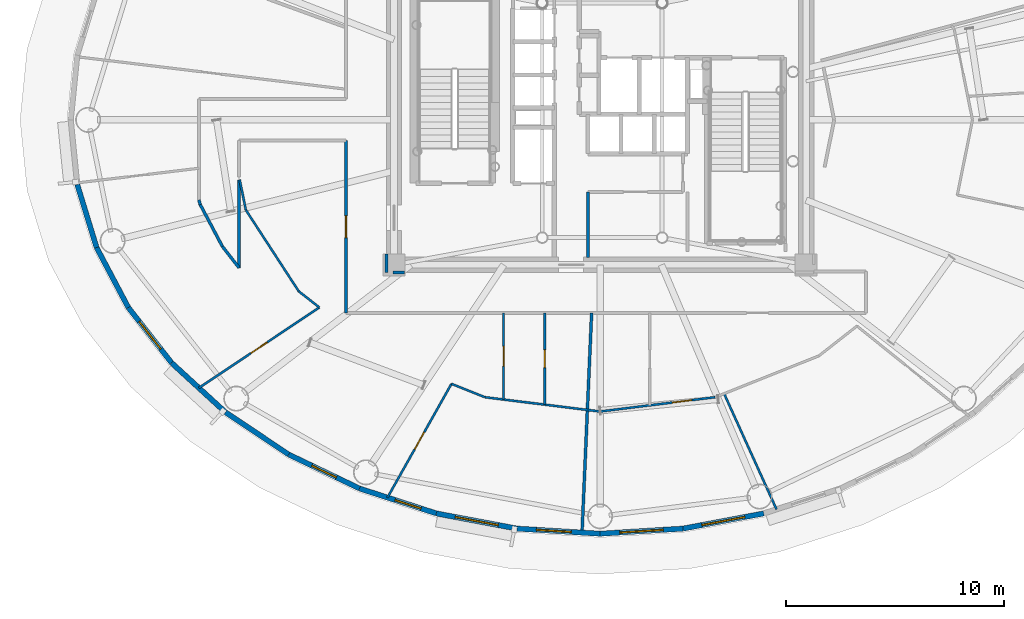
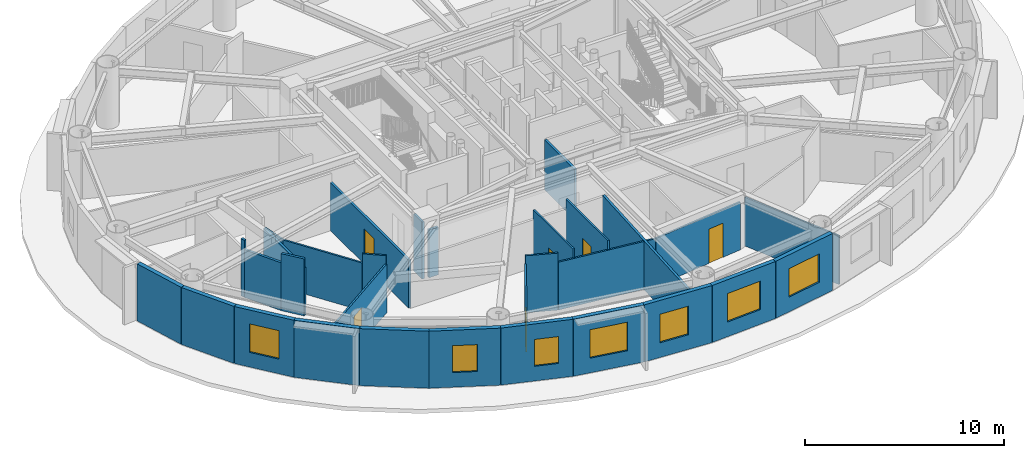
# One storey, part 9 of 19: 31 walls, 7 windows, 6 doors, 13 openings.
"""IFC4 building model written with IfcOpenShell, lengths in metres."""

import ifcopenshell
import ifcopenshell.guid

model = None  # the IFC model being written
_history = None  # IfcOwnerHistory: only IFC2X3 demands one
_inside = {}  # id of a spatial element -> (the spatial element, [elements in it])
_under = {}  # id of a project, library or spatial element -> (it, [spatial elements below it])
_declared = {}  # id of a project -> (the project, [libraries it declares])
_typed = {}  # id of a type object -> (the type object, [elements of that type])
_made_of = {}  # id of a material, layer set ... -> (it, [elements and type objects made of it])


def new_model(schema):
    """Start an empty IFC model of exactly this schema.

    Asked for "IFC4X3", IfcOpenShell would pick the latest addendum, in which some entities
    have other attributes; the version numbers below select the first issue.
    IFC2X3 requires an IfcOwnerHistory on every rooted entity: one is made here for all.
    """
    global model, _history
    if schema == "IFC4X3":
        model = ifcopenshell.file(schema_version=(4, 3, 0, 0))
    else:
        model = ifcopenshell.file(schema=schema)
    _inside.clear()
    _under.clear()
    _declared.clear()
    _typed.clear()
    _made_of.clear()
    _history = None
    if model.schema == "IFC2X3":
        org = make("IfcOrganization", Name="unknown")
        user = make(
            "IfcPersonAndOrganization",
            ThePerson=make("IfcPerson", FamilyName="unknown"),
            TheOrganization=org,
        )
        app = make(
            "IfcApplication",
            ApplicationDeveloper=org,
            Version="unknown",
            ApplicationFullName="unknown",
            ApplicationIdentifier="unknown",
        )
        _history = make(
            "IfcOwnerHistory",
            OwningUser=user,
            OwningApplication=app,
            ChangeAction="ADDED",
            CreationDate=0,
        )
    return model


def make(cls, **values):
    """One entity of the class cls with the attributes given. An attribute that is None is left unset."""
    return model.create_entity(
        cls, **{name: value for name, value in values.items() if value is not None}
    )


def rooted(cls, **values):
    """An entity with a GlobalId (a new one), such as an element, a storey or a relation."""
    return make(cls, GlobalId=ifcopenshell.guid.new(), OwnerHistory=_history, **values)


def si_unit(unit_type, name, prefix=None):
    """IfcSIUnit, for example si_unit("LENGTHUNIT", "METRE", prefix="MILLI")."""
    return make("IfcSIUnit", UnitType=unit_type, Prefix=prefix, Name=name)


def assignment(units):
    """IfcUnitAssignment: the units of a project."""
    return None if units is None else make("IfcUnitAssignment", Units=units)


def point(xyz):
    """IfcCartesianPoint."""
    return None if xyz is None else make("IfcCartesianPoint", Coordinates=xyz)


def direction(xyz):
    """IfcDirection."""
    return None if xyz is None else make("IfcDirection", DirectionRatios=xyz)


def frame(location, z_axis=None, x_axis=None):
    """IfcAxis2Placement3D, a coordinate frame: its origin and axes. An axis left out is left unset."""
    return make(
        "IfcAxis2Placement3D",
        Location=point(location),
        Axis=direction(z_axis),
        RefDirection=direction(x_axis),
    )


def frame_2d(location, x_axis=None):
    """IfcAxis2Placement2D, a coordinate frame in the plane: its origin and x axis."""
    return make(
        "IfcAxis2Placement2D", Location=point(location), RefDirection=direction(x_axis)
    )


def origin():
    """The frame at (0, 0, 0) with its axes left unset."""
    return frame((0.0, 0.0, 0.0))


def origin_2d():
    """The frame at (0, 0) in the plane with its x axis left unset."""
    return frame_2d((0.0, 0.0))


def place(relative_to, where):
    """IfcLocalPlacement: puts the frame where relative to a parent placement (None: the world)."""
    return make(
        "IfcLocalPlacement", PlacementRelTo=relative_to, RelativePlacement=where
    )


def context(
    kind, dimensions, precision=None, world=None, true_north=None, identifier=None
):
    """IfcGeometricRepresentationContext, for example the 3D "Model" context."""
    return make(
        "IfcGeometricRepresentationContext",
        ContextIdentifier=identifier,
        ContextType=kind,
        CoordinateSpaceDimension=dimensions,
        Precision=precision,
        WorldCoordinateSystem=world,
        TrueNorth=true_north,
    )


def subcontext(parent, identifier, kind, view, scale=None):
    """IfcGeometricRepresentationSubContext, for example "Body" below "Model"."""
    return make(
        "IfcGeometricRepresentationSubContext",
        ContextIdentifier=identifier,
        ContextType=kind,
        ParentContext=parent,
        TargetScale=scale,
        TargetView=view,
    )


def project(units=None, contexts=None):
    """IfcProject with its units and contexts."""
    return rooted(
        "IfcProject",
        Name="project",
        RepresentationContexts=contexts,
        UnitsInContext=assignment(units),
    )


def spatial(cls, under=None, at=None, **own):
    """A site, building, storey or space (cls), placed at a placement, below another one or the project."""
    s = rooted(cls, ObjectPlacement=at, **own)
    if under is not None:
        _under.setdefault(under.id(), (under, []))[1].append(s)
    return s


def profile(cls, at=None, kind="AREA", **sizes):
    """A parametric profile (cls). Its sizes go by their IFC names, for example OverallWidth=200.0."""
    return make(cls, ProfileType=kind, Position=at, **sizes)


def rectangle(**sizes):
    """IfcRectangleProfileDef."""
    return profile("IfcRectangleProfileDef", **sizes)


def extrude(swept, where, along, depth):
    """IfcExtrudedAreaSolid: the profile swept, set in the frame where, extruded along a direction by depth."""
    return make(
        "IfcExtrudedAreaSolid",
        SweptArea=swept,
        Position=where,
        ExtrudedDirection=direction(along),
        Depth=depth,
    )


def shape(context_of_items, identifier, shape_type, items):
    """IfcShapeRepresentation: the items that make up one representation, for example the "Body"."""
    return make(
        "IfcShapeRepresentation",
        ContextOfItems=context_of_items,
        RepresentationIdentifier=identifier,
        RepresentationType=shape_type,
        Items=items,
    )


def source(mapping_origin, context_of_items, identifier, shape_type, items):
    """IfcRepresentationMap: a shape defined once, which mapped items show again and again."""
    return make(
        "IfcRepresentationMap",
        MappingOrigin=mapping_origin,
        MappedRepresentation=shape(context_of_items, identifier, shape_type, items),
    )


def transform(
    local_origin,
    x_axis=None,
    y_axis=None,
    z_axis=None,
    scale=None,
    scale2=None,
    scale3=None,
    uniform=True,
):
    """IfcCartesianTransformationOperator3D, or its non-uniform kind. x_axis, y_axis, z_axis: its Axis1, 2, 3."""
    if uniform:
        return make(
            "IfcCartesianTransformationOperator3D",
            Axis1=direction(x_axis),
            Axis2=direction(y_axis),
            LocalOrigin=point(local_origin),
            Scale=scale,
            Axis3=direction(z_axis),
        )
    return make(
        "IfcCartesianTransformationOperator3DnonUniform",
        Axis1=direction(x_axis),
        Axis2=direction(y_axis),
        LocalOrigin=point(local_origin),
        Scale=scale,
        Axis3=direction(z_axis),
        Scale2=scale2,
        Scale3=scale3,
    )


def mapped(mapping_source, mapping_target):
    """IfcMappedItem: shows the shape of a source again, moved by a transform."""
    return make(
        "IfcMappedItem", MappingSource=mapping_source, MappingTarget=mapping_target
    )


def material(Name=None, Category=None):
    """IfcMaterial."""
    return make("IfcMaterial", Name=Name, Category=Category)


def layer(
    of_material, thickness, ventilated=None, Name=None, Category=None, Priority=None
):
    """IfcMaterialLayer: one layer of a wall or slab, of a material (None: an air gap)."""
    return make(
        "IfcMaterialLayer",
        Material=of_material,
        LayerThickness=thickness,
        IsVentilated=ventilated,
        Name=Name,
        Category=Category,
        Priority=Priority,
    )


def layer_set(layers, Name=None):
    """IfcMaterialLayerSet."""
    return make("IfcMaterialLayerSet", MaterialLayers=layers, LayerSetName=Name)


def made_of(thing, what):
    """Note that an element or type object is made of a material, layer set ...; save() writes the relation."""
    if what is not None:
        _made_of.setdefault(what.id(), (what, []))[1].append(thing)
    return thing


def type_object(cls, material=None, **own):
    """A type object (cls), such as IfcWallType, which elements share."""
    return made_of(rooted(cls, **own), material)


def element(
    cls,
    number,
    at=None,
    inside=None,
    cuts=None,
    type_object=None,
    material=None,
    context=None,
    identifier="Body",
    shape_type=None,
    held_by="IfcProductDefinitionShape",
    body=None,
    shapes=None,
    **own,
):
    """One element of the class cls, such as IfcWall. Its Tag is "e" and its number.

    at: its placement. inside: the storey or other place that contains it. cuts: it is an
    opening in that element (IfcRelVoidsElement). A single representation is given by context,
    identifier, shape_type and body (its items); several are given by shapes. held_by: the class
    of the entity that holds the representations. save() writes the other relations.
    """
    e = rooted(cls, Tag="e%d" % number, ObjectPlacement=at, **own)
    if body is not None:
        shapes = [shape(context, identifier, shape_type, body)]
    if shapes is not None:
        e.Representation = make(held_by, Representations=shapes)
    if inside is not None:
        _inside.setdefault(inside.id(), (inside, []))[1].append(e)
    if cuts is not None:
        rooted(
            "IfcRelVoidsElement", RelatingBuildingElement=cuts, RelatedOpeningElement=e
        )
    if type_object is not None:
        _typed.setdefault(type_object.id(), (type_object, []))[1].append(e)
    return made_of(e, material)


def fill(opening, filler):
    """IfcRelFillsElement: the door or window that sits in an opening."""
    return rooted(
        "IfcRelFillsElement",
        RelatingOpeningElement=opening,
        RelatedBuildingElement=filler,
    )


def aggregate(whole, parts):
    """IfcRelAggregates: a whole, such as a stair, and the parts it consists of."""
    return rooted("IfcRelAggregates", RelatingObject=whole, RelatedObjects=parts)


def save(model, path):
    """Write the relations noted so far, then the file.

    IfcRelAggregates (storeys below a building ...), IfcRelContainedInSpatialStructure (elements
    in a storey), IfcRelDefinesByType, IfcRelAssociatesMaterial and IfcRelDeclares: one each for
    every whole, place, type object, material and project.
    """
    for whole, parts in _under.values():
        aggregate(whole, parts)
    for where, things in _inside.values():
        rooted(
            "IfcRelContainedInSpatialStructure",
            RelatedElements=things,
            RelatingStructure=where,
        )
    for kind, things in _typed.values():
        rooted("IfcRelDefinesByType", RelatedObjects=things, RelatingType=kind)
    for what, things in _made_of.values():
        rooted("IfcRelAssociatesMaterial", RelatedObjects=things, RelatingMaterial=what)
    for by, libraries in _declared.values():
        rooted("IfcRelDeclares", RelatingContext=by, RelatedDefinitions=libraries)
    model.write(path)


model = new_model("IFC4")

# Units and contexts
model_context = context("Model", 3, precision=1e-05, world=origin(), true_north=direction((0.0, 1.0)))
body_context = subcontext(model_context, "Body", "Model", "MODEL_VIEW")
ifc_project = project(units=[si_unit("LENGTHUNIT", "METRE"), si_unit("AREAUNIT", "SQUARE_METRE"), si_unit("VOLUMEUNIT", "CUBIC_METRE"), si_unit("PLANEANGLEUNIT", "RADIAN"), si_unit("MASSUNIT", "GRAM", prefix="KILO")], contexts=[model_context])

# Site, building, storey
site_placement = place(None, origin())
site = spatial("IfcSite", under=ifc_project, at=site_placement, CompositionType="ELEMENT")
building_placement = place(site_placement, origin())
building = spatial("IfcBuilding", under=site, at=building_placement, Name="Linh Dai School and Residence Tower", CompositionType="ELEMENT")
storey_placement = place(building_placement, frame((0.0, 0.0, 210.300048828125)))
storey = spatial("IfcBuildingStorey", under=building, at=storey_placement, Name="L51", CompositionType="ELEMENT", Elevation=210.300048828125)

# Walls
ifc_material_1 = material(Name="Precast Concrete B45 (C35/45)", Category="concrete")
ifc_layer_1 = layer(ifc_material_1, 0.239990234375)
ifc_layer_set_1 = layer_set([ifc_layer_1], Name="Precast Concrete B45 (C35/45)")
wall_type_1 = type_object("IfcWallType", Name="EW-TC-240", PredefinedType="SOLIDWALL", material=ifc_layer_set_1)
wall_1_placement = place(storey_placement, frame((12.90966796875, 21.14404296875, 0.0), z_axis=(0.0, 0.0, 1.0), x_axis=(-0.293132907334, 0.95607170162, 0.0)))
element("IfcWall", 1, at=wall_1_placement, inside=storey, type_object=wall_type_1, Name="L51 Terracotta Exterior Wall 22", PredefinedType="SOLIDWALL", context=body_context, shape_type="SweptSolid", body=[
    extrude(rectangle(XDim=3.02490234375, YDim=0.239990234375, at=frame_2d((1.512451171875, 0.0))), origin(), (0.0, 0.0, 1.0), 3.5),
])
wall_2_placement = place(storey_placement, frame((14.3642578125, 18.394775390625, 0.0), z_axis=(0.0, 0.0, 1.0), x_axis=(-0.46766049993, 0.883908172157, 0.0)))
element("IfcWall", 2, at=wall_2_placement, inside=storey, type_object=wall_type_1, Name="L51 Terracotta Exterior Wall 23", PredefinedType="SOLIDWALL", context=body_context, shape_type="SweptSolid", body=[
    extrude(rectangle(XDim=3.1103515625, YDim=0.239990234375, at=frame_2d((1.55517578125, 0.0))), origin(), (0.0, 0.0, 1.0), 3.5),
])

# Wall, opening, window
wall_3_placement = place(storey_placement, frame((16.3515625, 15.85546875, 0.0), z_axis=(0.0, 0.0, 1.0), x_axis=(-0.616312344705, 0.787501805562, 0.0)))
wall_3 = element("IfcWall", 3, at=wall_3_placement, inside=storey, type_object=wall_type_1, Name="L51 Terracotta Exterior Wall 24", PredefinedType="SOLIDWALL", context=body_context, shape_type="SweptSolid", body=[
    extrude(rectangle(XDim=3.224609375, YDim=0.239990234375, at=frame_2d((1.6123046875, 0.0))), origin(), (0.0, 0.0, 1.0), 3.5),
])
opening_1_placement = place(wall_3_placement, frame((0.81201171875, 0.0, 0.89990234375)))
opening_1 = element("IfcOpeningElement", 4, at=opening_1_placement, cuts=wall_3, Name="Opening W2", PredefinedType="OPENING", context=body_context, shape_type="SweptSolid", body=[
    extrude(rectangle(XDim=1.60009765625, YDim=1.75, at=origin_2d()), frame((0.800048828125, 0.1298828125, 0.875), z_axis=(0.0, -1.0, 0.0), x_axis=(1.0, 0.0, 0.0)), (0.0, 0.0, 1.0), 0.260009765625),
])
ifc_material_2 = material(Name="Double Low-E Insulated Glazing", Category="glass")
window_type_1 = type_object("IfcWindowType", Name="WN-RES-1600x1750", PartitioningType="DOUBLE_PANEL_VERTICAL", PredefinedType="WINDOW", material=ifc_material_2)
shared_shape_1 = source(origin(), body_context, "Body", "SweptSolid", [
    extrude(rectangle(XDim=1.60009765625, YDim=1.75, at=origin_2d()), frame((0.800048828125, 0.030029296875, 0.875), z_axis=(0.0, -1.0, 0.0), x_axis=(1.0, 0.0, 0.0)), (0.0, 0.0, 1.0), 0.06005859375),
])
window_1_placement = place(opening_1_placement, origin())
window_1 = element("IfcWindow", 5, at=window_1_placement, inside=storey, type_object=window_type_1, Name="L51 Exterior Window 24.1", OverallHeight=1.75, OverallWidth=1.60009765625, PartitioningType="DOUBLE_PANEL_VERTICAL", PredefinedType="WINDOW", context=body_context, shape_type="MappedRepresentation", body=[
    mapped(shared_shape_1, transform((0.0, 0.0, 0.0), x_axis=(1.0, 0.0, 0.0), y_axis=(0.0, 1.0, 0.0), z_axis=(0.0, 0.0, 1.0), scale=1.0)),
])
fill(opening_1, window_1)

# Walls
wall_4_placement = place(storey_placement, frame((18.82373046875, 13.589111328125, 0.0), z_axis=(0.0, 0.0, 1.0), x_axis=(-0.737123922599, 0.675757591694, 0.0)))
element("IfcWall", 6, at=wall_4_placement, inside=storey, type_object=wall_type_1, Name="L51 Terracotta Exterior Wall 25", PredefinedType="SOLIDWALL", context=body_context, shape_type="SweptSolid", body=[
    extrude(rectangle(XDim=3.353759765625, YDim=0.239990234375, at=frame_2d((1.6767578125, 0.0))), origin(), (0.0, 0.0, 1.0), 3.5),
])
wall_5_placement = place(storey_placement, frame((21.719970703125, 11.65234375, 0.0), z_axis=(0.0, 0.0, 1.0), x_axis=(-0.831262496074, 0.555880079352, 0.0)))
element("IfcWall", 7, at=wall_5_placement, inside=storey, type_object=wall_type_1, Name="L51 Terracotta Exterior Wall 26", PredefinedType="SOLIDWALL", context=body_context, shape_type="SweptSolid", body=[
    extrude(rectangle(XDim=3.484130859375, YDim=0.239990234375, at=frame_2d((1.7421875, 0.0))), origin(), (0.0, 0.0, 1.0), 3.5),
])

# Wall, opening, window
wall_6_placement = place(storey_placement, frame((24.968994140625, 10.093505859375, 0.0), z_axis=(0.0, 0.0, 1.0), x_axis=(-0.901598104751, 0.432574684313, 0.0)))
wall_6 = element("IfcWall", 8, at=wall_6_placement, inside=storey, type_object=wall_type_1, Name="L51 Terracotta Exterior Wall 27", PredefinedType="SOLIDWALL", context=body_context, shape_type="SweptSolid", body=[
    extrude(rectangle(XDim=3.603515625, YDim=0.239990234375, at=frame_2d((1.8017578125, 0.0))), origin(), (0.0, 0.0, 1.0), 3.5),
])
opening_2_placement = place(wall_6_placement, frame((1.177001953125, 0.0, 0.89990234375)))
opening_2 = element("IfcOpeningElement", 9, at=opening_2_placement, cuts=wall_6, Name="Opening W3", PredefinedType="OPENING", context=body_context, shape_type="SweptSolid", body=[
    extrude(rectangle(XDim=1.25, YDim=1.64990234375, at=origin_2d()), frame((0.625, 0.1298828125, 0.824951171875), z_axis=(0.0, -1.0, 0.0), x_axis=(1.0, 0.0, 0.0)), (0.0, 0.0, 1.0), 0.260009765625),
])
window_type_2 = type_object("IfcWindowType", Name="WN-RES-1250x1650", PartitioningType="SINGLE_PANEL", PredefinedType="WINDOW", material=ifc_material_2)
shared_shape_2 = source(origin(), body_context, "Body", "SweptSolid", [
    extrude(rectangle(XDim=1.25, YDim=1.64990234375, at=origin_2d()), frame((0.625, 0.030029296875, 0.824951171875), z_axis=(0.0, -1.0, 0.0), x_axis=(1.0, 0.0, 0.0)), (0.0, 0.0, 1.0), 0.06005859375),
])
window_2_placement = place(opening_2_placement, origin())
window_2 = element("IfcWindow", 10, at=window_2_placement, inside=storey, type_object=window_type_2, Name="L51 Dwelling Window U5101-LIV", OverallHeight=1.64990234375, OverallWidth=1.25, PartitioningType="SINGLE_PANEL", PredefinedType="WINDOW", context=body_context, shape_type="MappedRepresentation", body=[
    mapped(shared_shape_2, transform((0.0, 0.0, 0.0), x_axis=(1.0, 0.0, 0.0), y_axis=(0.0, 1.0, 0.0), z_axis=(0.0, 0.0, 1.0), scale=1.0)),
])
fill(opening_2, window_2)

wall_7_placement = place(storey_placement, frame((28.49072265625, 8.951171875, 0.0), z_axis=(0.0, 0.0, 1.0), x_axis=(-0.951210789182, 0.308541787354, 0.0)))
wall_7 = element("IfcWall", 11, at=wall_7_placement, inside=storey, type_object=wall_type_1, Name="L51 Terracotta Exterior Wall 28", PredefinedType="SOLIDWALL", context=body_context, shape_type="SweptSolid", body=[
    extrude(rectangle(XDim=3.702392578125, YDim=0.239990234375, at=frame_2d((1.85107421875, 0.0))), origin(), (0.0, 0.0, 1.0), 3.5),
])
opening_3_placement = place(wall_7_placement, frame((0.734619140625, 0.0, 0.89990234375)))
opening_3 = element("IfcOpeningElement", 12, at=opening_3_placement, cuts=wall_7, Name="Opening W3", PredefinedType="OPENING", context=body_context, shape_type="SweptSolid", body=[
    extrude(rectangle(XDim=1.25, YDim=1.64990234375, at=origin_2d()), frame((0.625, 0.1298828125, 0.824951171875), z_axis=(0.0, -1.0, 0.0), x_axis=(1.0, 0.0, 0.0)), (0.0, 0.0, 1.0), 0.260009765625),
])
window_3_placement = place(opening_3_placement, origin())
window_3 = element("IfcWindow", 13, at=window_3_placement, inside=storey, type_object=window_type_2, Name="L51 Exterior Window 28.1", OverallHeight=1.64990234375, OverallWidth=1.25, PartitioningType="SINGLE_PANEL", PredefinedType="WINDOW", context=body_context, shape_type="MappedRepresentation", body=[
    mapped(shared_shape_2, transform((0.0, 0.0, 0.0), x_axis=(1.0, 0.0, 0.0), y_axis=(0.0, 1.0, 0.0), z_axis=(0.0, 0.0, 1.0), scale=1.0)),
])
fill(opening_3, window_3)

wall_8_placement = place(storey_placement, frame((32.198486328125, 8.254150390625, 0.0), z_axis=(0.0, 0.0, 1.0), x_axis=(-0.982784898575, 0.184753465822, 0.0)))
wall_8 = element("IfcWall", 14, at=wall_8_placement, inside=storey, type_object=wall_type_1, Name="L51 Terracotta Exterior Wall 29", PredefinedType="SOLIDWALL", context=body_context, shape_type="SweptSolid", body=[
    extrude(rectangle(XDim=3.772705078125, YDim=0.239990234375, at=frame_2d((1.88623046875, 0.0))), origin(), (0.0, 0.0, 1.0), 3.5),
])
opening_4_placement = place(wall_8_placement, frame((0.88623046875, 0.0, 0.89990234375)))
opening_4 = element("IfcOpeningElement", 15, at=opening_4_placement, cuts=wall_8, Name="Opening W1", PredefinedType="OPENING", context=body_context, shape_type="SweptSolid", body=[
    extrude(rectangle(XDim=2.0, YDim=1.75, at=origin_2d()), frame((1.0, 0.1298828125, 0.875), z_axis=(0.0, -1.0, 0.0), x_axis=(1.0, 0.0, 0.0)), (0.0, 0.0, 1.0), 0.260009765625),
])
window_type_3 = type_object("IfcWindowType", Name="WN-RES-2000x1750", PartitioningType="DOUBLE_PANEL_VERTICAL", PredefinedType="WINDOW", material=ifc_material_2)
shared_shape_3 = source(origin(), body_context, "Body", "SweptSolid", [
    extrude(rectangle(XDim=2.0, YDim=1.75, at=origin_2d()), frame((1.0, 0.030029296875, 0.875), z_axis=(0.0, -1.0, 0.0), x_axis=(1.0, 0.0, 0.0)), (0.0, 0.0, 1.0), 0.06005859375),
])
window_4_placement = place(opening_4_placement, origin())
window_4 = element("IfcWindow", 16, at=window_4_placement, inside=storey, type_object=window_type_3, Name="L51 Exterior Window 29.1", OverallHeight=1.75, OverallWidth=2.0, PartitioningType="DOUBLE_PANEL_VERTICAL", PredefinedType="WINDOW", context=body_context, shape_type="MappedRepresentation", body=[
    mapped(shared_shape_3, transform((0.0, 0.0, 0.0), x_axis=(1.0, 0.0, 0.0), y_axis=(0.0, 1.0, 0.0), z_axis=(0.0, 0.0, 1.0), scale=1.0)),
])
fill(opening_4, window_4)

wall_9_placement = place(storey_placement, frame((36.0, 8.02001953125, 0.0), z_axis=(0.0, 0.0, 1.0), x_axis=(-0.998108785312, 0.06147237333, 0.0)))
wall_9 = element("IfcWall", 17, at=wall_9_placement, inside=storey, type_object=wall_type_1, Name="L51 Terracotta Exterior Wall 30", PredefinedType="SOLIDWALL", context=body_context, shape_type="SweptSolid", body=[
    extrude(rectangle(XDim=3.808837890625, YDim=0.239990234375, at=frame_2d((1.904296875, 0.0))), origin(), (0.0, 0.0, 1.0), 3.5),
])
opening_5_placement = place(wall_9_placement, frame((1.32568359375, 0.0, 0.89990234375)))
opening_5 = element("IfcOpeningElement", 18, at=opening_5_placement, cuts=wall_9, Name="Opening W2", PredefinedType="OPENING", context=body_context, shape_type="SweptSolid", body=[
    extrude(rectangle(XDim=1.60009765625, YDim=1.75, at=origin_2d()), frame((0.800048828125, 0.1298828125, 0.875), z_axis=(0.0, -1.0, 0.0), x_axis=(1.0, 0.0, 0.0)), (0.0, 0.0, 1.0), 0.260009765625),
])
window_5_placement = place(opening_5_placement, origin())
window_5 = element("IfcWindow", 19, at=window_5_placement, inside=storey, type_object=window_type_1, Name="L51 Exterior Window 30.1", OverallHeight=1.75, OverallWidth=1.60009765625, PartitioningType="DOUBLE_PANEL_VERTICAL", PredefinedType="WINDOW", context=body_context, shape_type="MappedRepresentation", body=[
    mapped(shared_shape_1, transform((0.0, 0.0, 0.0), x_axis=(1.0, 0.0, 0.0), y_axis=(0.0, 1.0, 0.0), z_axis=(0.0, 0.0, 1.0), scale=1.0)),
])
fill(opening_5, window_5)

wall_10_placement = place(storey_placement, frame((39.801513671875, 8.254150390625, 0.0), z_axis=(0.0, 0.0, 1.0), x_axis=(-0.998108785312, -0.06147237333, 0.0)))
wall_10 = element("IfcWall", 20, at=wall_10_placement, inside=storey, type_object=wall_type_1, Name="L51 Terracotta Exterior Wall 31", PredefinedType="SOLIDWALL", context=body_context, shape_type="SweptSolid", body=[
    extrude(rectangle(XDim=3.808837890625, YDim=0.239990234375, at=frame_2d((1.904296875, 0.0))), origin(), (0.0, 0.0, 1.0), 3.5),
])
opening_6_placement = place(wall_10_placement, frame((0.904541015625, 0.0, 0.89990234375)))
opening_6 = element("IfcOpeningElement", 21, at=opening_6_placement, cuts=wall_10, Name="Opening W1", PredefinedType="OPENING", context=body_context, shape_type="SweptSolid", body=[
    extrude(rectangle(XDim=2.0, YDim=1.75, at=origin_2d()), frame((1.0, 0.1298828125, 0.875), z_axis=(0.0, -1.0, 0.0), x_axis=(1.0, 0.0, 0.0)), (0.0, 0.0, 1.0), 0.260009765625),
])
window_6_placement = place(opening_6_placement, origin())
window_6 = element("IfcWindow", 22, at=window_6_placement, inside=storey, type_object=window_type_3, Name="L51 Exterior Window 31.1", OverallHeight=1.75, OverallWidth=2.0, PartitioningType="DOUBLE_PANEL_VERTICAL", PredefinedType="WINDOW", context=body_context, shape_type="MappedRepresentation", body=[
    mapped(shared_shape_3, transform((0.0, 0.0, 0.0), x_axis=(1.0, 0.0, 0.0), y_axis=(0.0, 1.0, 0.0), z_axis=(0.0, 0.0, 1.0), scale=1.0)),
])
fill(opening_6, window_6)

wall_11_placement = place(storey_placement, frame((43.50927734375, 8.951171875, 0.0), z_axis=(0.0, 0.0, 1.0), x_axis=(-0.982784898575, -0.184753465822, 0.0)))
wall_11 = element("IfcWall", 23, at=wall_11_placement, inside=storey, type_object=wall_type_1, Name="L51 Terracotta Exterior Wall 32", PredefinedType="SOLIDWALL", context=body_context, shape_type="SweptSolid", body=[
    extrude(rectangle(XDim=3.772705078125, YDim=0.239990234375, at=frame_2d((1.88623046875, 0.0))), origin(), (0.0, 0.0, 1.0), 3.5),
])
opening_7_placement = place(wall_11_placement, frame((0.88623046875, 0.0, 0.89990234375)))
opening_7 = element("IfcOpeningElement", 24, at=opening_7_placement, cuts=wall_11, Name="Opening W1", PredefinedType="OPENING", context=body_context, shape_type="SweptSolid", body=[
    extrude(rectangle(XDim=2.0, YDim=1.75, at=origin_2d()), frame((1.0, 0.1298828125, 0.875), z_axis=(0.0, -1.0, 0.0), x_axis=(1.0, 0.0, 0.0)), (0.0, 0.0, 1.0), 0.260009765625),
])
window_7_placement = place(opening_7_placement, origin())
window_7 = element("IfcWindow", 25, at=window_7_placement, inside=storey, type_object=window_type_3, Name="L51 Exterior Window 32.1", OverallHeight=1.75, OverallWidth=2.0, PartitioningType="DOUBLE_PANEL_VERTICAL", PredefinedType="WINDOW", context=body_context, shape_type="MappedRepresentation", body=[
    mapped(shared_shape_3, transform((0.0, 0.0, 0.0), x_axis=(1.0, 0.0, 0.0), y_axis=(0.0, 1.0, 0.0), z_axis=(0.0, 0.0, 1.0), scale=1.0)),
])
fill(opening_7, window_7)

# Walls
ifc_material_3 = material(Name="Autoclaved Aerated Concrete Blockwork", Category="masonry")
ifc_layer_2 = layer(ifc_material_3, 0.135009765625)
ifc_layer_set_2 = layer_set([ifc_layer_2], Name="Autoclaved Aerated Concrete Blockwork")
wall_type_2 = type_object("IfcWallType", Name="IW-CORR-135-EI90", PredefinedType="PARTITIONING", material=ifc_layer_set_2)
wall_12_placement = place(storey_placement, frame((17.60009765625, 23.327880859375, 0.0), z_axis=(0.0, 0.0, 1.0), x_axis=(0.292875000845, -0.956150738053, 0.0)))
element("IfcWall", 26, at=wall_12_placement, inside=storey, type_object=wall_type_2, Name="L51 Interior Partition Wall 006", PredefinedType="PARTITIONING", context=body_context, shape_type="SweptSolid", body=[
    extrude(rectangle(XDim=0.226806640625, YDim=0.135009765625, at=frame_2d((0.11328125, 0.0))), origin(), (0.0, 0.0, 1.0), 3.5),
])
wall_13_placement = place(storey_placement, frame((17.66650390625, 23.111083984375, 0.0), z_axis=(0.0, 0.0, 1.0), x_axis=(0.467675622269, -0.883900171024, 0.0)))
element("IfcWall", 27, at=wall_13_placement, inside=storey, type_object=wall_type_2, Name="L51 Interior Partition Wall 008", PredefinedType="PARTITIONING", context=body_context, shape_type="SweptSolid", body=[
    extrude(rectangle(XDim=2.16845703125, YDim=0.135009765625, at=frame_2d((1.084228515625, 0.0))), origin(), (0.0, 0.0, 1.0), 2.93505859375),
])
wall_14_placement = place(storey_placement, frame((18.6806640625, 21.1943359375, 0.0), z_axis=(0.0, 0.0, 1.0), x_axis=(0.616239706802, -0.787558647823, 0.0)))
element("IfcWall", 28, at=wall_14_placement, inside=storey, type_object=wall_type_2, Name="L51 Interior Partition Wall 009", PredefinedType="PARTITIONING", context=body_context, shape_type="SweptSolid", body=[
    extrude(rectangle(XDim=1.248291015625, YDim=0.135009765625, at=frame_2d((0.6240234375, 0.0))), origin(), (0.0, 0.0, 1.0), 3.5),
])
wall_15_placement = place(storey_placement, frame((19.449951171875, 20.211181640625, 0.0), z_axis=(0.0, 0.0, 1.0), x_axis=(0.0, 1.0, 0.0)))
element("IfcWall", 29, at=wall_15_placement, inside=storey, type_object=wall_type_2, Name="L51 Interior Partition Wall 010", PredefinedType="PARTITIONING", context=body_context, shape_type="SweptSolid", body=[
    extrude(rectangle(XDim=4.042236328125, YDim=0.135009765625, at=frame_2d((2.02099609375, 0.0))), origin(), (0.0, 0.0, 1.0), 2.93505859375),
])

# Wall, opening, door
wall_16_placement = place(storey_placement, frame((24.35009765625, 18.14990234375, 0.0), z_axis=(0.0, 0.0, 1.0), x_axis=(0.0, 1.0, 0.0)))
wall_16 = element("IfcWall", 30, at=wall_16_placement, inside=storey, type_object=wall_type_2, Name="L51 Interior Partition Wall 019", PredefinedType="PARTITIONING", context=body_context, shape_type="SweptSolid", body=[
    extrude(rectangle(XDim=7.900146484375, YDim=0.135009765625, at=frame_2d((3.9501953125, 0.0))), origin(), (0.0, 0.0, 1.0), 2.93505859375),
])
opening_8_placement = place(wall_16_placement, frame((3.449951171875, 0.0, 0.0)))
opening_8 = element("IfcOpeningElement", 31, at=opening_8_placement, cuts=wall_16, Name="Opening D03", PredefinedType="OPENING", context=body_context, shape_type="SweptSolid", body=[
    extrude(rectangle(XDim=1.0, YDim=2.14990234375, at=origin_2d()), frame((0.5, 0.07763671875, 1.074951171875), z_axis=(0.0, -1.0, 0.0), x_axis=(1.0, 0.0, 0.0)), (0.0, 0.0, 1.0), 0.155029296875),
])
ifc_material_4 = material(Name="Fire-Rated Solid Timber Entrance Door", Category="wood")
door_type_1 = type_object("IfcDoorType", Name="DR-FLAT-1000x2150-FD60S", OperationType="NOTDEFINED", PredefinedType="DOOR", material=ifc_material_4)
shared_shape_4 = source(origin(), body_context, "Body", "SweptSolid", [
    extrude(rectangle(XDim=1.0, YDim=2.14990234375, at=origin_2d()), frame((0.5, 0.02490234375, 1.074951171875), z_axis=(0.0, -1.0, 0.0), x_axis=(1.0, 0.0, 0.0)), (0.0, 0.0, 1.0), 0.050048828125),
])
door_1_placement = place(opening_8_placement, origin())
door_1 = element("IfcDoor", 32, at=door_1_placement, inside=storey, type_object=door_type_1, Name="L51 U5101 Apartment Entrance Door", OperationType="SINGLE_SWING_RIGHT", OverallHeight=2.14990234375, OverallWidth=1.0, PredefinedType="DOOR", context=body_context, shape_type="MappedRepresentation", body=[
    mapped(shared_shape_4, transform((0.0, 0.0, 0.0), x_axis=(1.0, 0.0, 0.0), y_axis=(0.0, 1.0, 0.0), z_axis=(0.0, 0.0, 1.0), scale=1.0)),
])
fill(opening_8, door_1)

# Walls
wall_17_placement = place(storey_placement, frame((35.17333984375, 8.06591796875, 0.0), z_axis=(0.0, 0.0, 1.0), x_axis=(0.043609362851, 0.999048659211, 0.0)))
element("IfcWall", 33, at=wall_17_placement, inside=storey, type_object=wall_type_2, Name="L51 Interior Partition Wall 044", PredefinedType="PARTITIONING", context=body_context, shape_type="SweptSolid", body=[
    extrude(rectangle(XDim=10.09375, YDim=0.135009765625, at=frame_2d((5.046875, 0.0))), origin(), (0.0, 0.0, 1.0), 2.98486328125),
])
wall_18_placement = place(storey_placement, frame((35.449951171875, 20.699951171875, 0.0), z_axis=(0.0, 0.0, 1.0), x_axis=(0.0, 1.0, 0.0)))
element("IfcWall", 34, at=wall_18_placement, inside=storey, type_object=wall_type_2, Name="L51 Interior Partition Wall 045", PredefinedType="PARTITIONING", context=body_context, shape_type="SweptSolid", body=[
    extrude(rectangle(XDim=3.0, YDim=0.135009765625, at=frame_2d((1.5, 0.0))), origin(), (0.0, 0.0, 1.0), 3.0849609375),
])
wall_19_placement = place(storey_placement, frame((26.199951171875, 20.840087890625, 0.0), z_axis=(0.0, 0.0, 1.0), x_axis=(0.0, -1.0, 0.0)))
element("IfcWall", 35, at=wall_19_placement, inside=storey, type_object=wall_type_2, Name="L51 Interior Partition Wall 087", PredefinedType="PARTITIONING", context=body_context, shape_type="SweptSolid", body=[
    extrude(rectangle(XDim=0.840087890625, YDim=0.135009765625, at=frame_2d((0.419921875, 0.0))), origin(), (0.0, 0.0, 1.0), 3.5),
])
wall_20_placement = place(storey_placement, frame((26.507568359375, 20.0, 0.0), z_axis=(0.0, 0.0, 1.0), x_axis=(1.0, 0.0, 0.0)))
element("IfcWall", 36, at=wall_20_placement, inside=storey, type_object=wall_type_2, Name="L51 Interior Partition Wall 088", PredefinedType="PARTITIONING", context=body_context, shape_type="SweptSolid", body=[
    extrude(rectangle(XDim=0.532470703125, YDim=0.135009765625, at=frame_2d((0.26611328125, 0.0))), origin(), (0.0, 0.0, 1.0), 2.93505859375),
])

# Wall, opening, door
ifc_material_5 = material(Name="Gypsum Plasterboard Acoustic Stud Partition", Category="masonry")
ifc_layer_3 = layer(ifc_material_5, 0.10009765625)
ifc_layer_set_3 = layer_set([ifc_layer_3], Name="Gypsum Plasterboard Acoustic Stud Partition")
wall_type_3 = type_object("IfcWallType", Name="IW-UNIT-100", PredefinedType="PARTITIONING", material=ifc_layer_set_3)
wall_21_placement = place(storey_placement, frame((17.59912109375, 14.704833984375, 0.0), z_axis=(0.0, 0.0, 1.0), x_axis=(0.831456671534, 0.555589599761, 0.0)))
wall_21 = element("IfcWall", 37, at=wall_21_placement, inside=storey, type_object=wall_type_3, Name="L51 Interior Partition Wall 004", PredefinedType="PARTITIONING", context=body_context, shape_type="SweptSolid", body=[
    extrude(rectangle(XDim=6.64892578125, YDim=0.10009765625, at=frame_2d((3.324462890625, 0.0))), origin(), (0.0, 0.0, 1.0), 2.98486328125),
])
opening_9_placement = place(wall_21_placement, frame((2.87451171875, 0.0, 0.0)))
opening_9 = element("IfcOpeningElement", 38, at=opening_9_placement, cuts=wall_21, Name="Opening D05", PredefinedType="OPENING", context=body_context, shape_type="SweptSolid", body=[
    extrude(rectangle(XDim=0.89990234375, YDim=2.10009765625, at=origin_2d()), frame((0.449951171875, 0.06005859375, 1.050048828125), z_axis=(0.0, -1.0, 0.0), x_axis=(1.0, 0.0, 0.0)), (0.0, 0.0, 1.0), 0.1201171875),
])
ifc_material_6 = material(Name="Engineered Timber Internal Door", Category="wood")
door_type_2 = type_object("IfcDoorType", Name="DR-INT-900x2100", OperationType="NOTDEFINED", PredefinedType="DOOR", material=ifc_material_6)
shared_shape_5 = source(origin(), body_context, "Body", "SweptSolid", [
    extrude(rectangle(XDim=0.89990234375, YDim=2.10009765625, at=origin_2d()), frame((0.449951171875, 0.02490234375, 1.050048828125), z_axis=(0.0, -1.0, 0.0), x_axis=(1.0, 0.0, 0.0)), (0.0, 0.0, 1.0), 0.050048828125),
])
door_2_placement = place(opening_9_placement, origin())
door_2 = element("IfcDoor", 39, at=door_2_placement, inside=storey, type_object=door_type_2, Name="L51 Apartment U5101 Principal Bedroom 2 Door", OperationType="SINGLE_SWING_LEFT", OverallHeight=2.10009765625, OverallWidth=0.89990234375, PredefinedType="DOOR", context=body_context, shape_type="MappedRepresentation", body=[
    mapped(shared_shape_5, transform((0.0, 0.0, 0.0), x_axis=(1.0, 0.0, 0.0), y_axis=(0.0, 1.0, 0.0), z_axis=(0.0, 0.0, 1.0), scale=1.0)),
])
fill(opening_9, door_2)

# Walls
wall_22_placement = place(storey_placement, frame((19.47509765625, 24.255859375, 0.0), z_axis=(0.0, 0.0, 1.0), x_axis=(0.198203790622, -0.980160832406, 0.0)))
element("IfcWall", 40, at=wall_22_placement, inside=storey, type_object=wall_type_3, Name="L51 Interior Partition Wall 013", PredefinedType="PARTITIONING", context=body_context, shape_type="SweptSolid", body=[
    extrude(rectangle(XDim=1.41650390625, YDim=0.10009765625, at=frame_2d((0.708251953125, 0.0))), origin(), (0.0, 0.0, 1.0), 2.93505859375),
])
wall_23_placement = place(storey_placement, frame((19.755859375, 22.867431640625, 0.0), z_axis=(0.0, 0.0, 1.0), x_axis=(0.545406924684, -0.83817139447, 0.0)))
element("IfcWall", 41, at=wall_23_placement, inside=storey, type_object=wall_type_3, Name="L51 Interior Partition Wall 014", PredefinedType="PARTITIONING", context=body_context, shape_type="SweptSolid", body=[
    extrude(rectangle(XDim=4.447998046875, YDim=0.10009765625, at=frame_2d((2.22412109375, 0.0))), origin(), (0.0, 0.0, 1.0), 2.93505859375),
])
wall_24_placement = place(storey_placement, frame((22.181884765625, 19.13916015625, 0.0), z_axis=(0.0, 0.0, 1.0), x_axis=(0.787410607438, -0.616428856636, 0.0)))
element("IfcWall", 42, at=wall_24_placement, inside=storey, type_object=wall_type_3, Name="L51 Interior Partition Wall 017", PredefinedType="PARTITIONING", context=body_context, shape_type="SweptSolid", body=[
    extrude(rectangle(XDim=1.200927734375, YDim=0.10009765625, at=frame_2d((0.6005859375, 0.0))), origin(), (0.0, 0.0, 1.0), 3.5),
])

# Wall, opening, door
wall_25_placement = place(storey_placement, frame((26.2470703125, 9.673583984375, 0.0), z_axis=(0.0, 0.0, 1.0), x_axis=(0.490510820462, 0.871435100859, 0.0)))
wall_25 = element("IfcWall", 43, at=wall_25_placement, inside=storey, type_object=wall_type_3, Name="L51 Interior Partition Wall 024", PredefinedType="PARTITIONING", context=body_context, shape_type="SweptSolid", body=[
    extrude(rectangle(XDim=5.99072265625, YDim=0.10009765625, at=frame_2d((2.995361328125, 0.0))), origin(), (0.0, 0.0, 1.0), 2.98486328125),
])
opening_10_placement = place(wall_25_placement, frame((2.54541015625, 0.0, 0.0)))
opening_10 = element("IfcOpeningElement", 44, at=opening_10_placement, cuts=wall_25, Name="Opening D05", PredefinedType="OPENING", context=body_context, shape_type="SweptSolid", body=[
    extrude(rectangle(XDim=0.89990234375, YDim=2.10009765625, at=origin_2d()), frame((0.449951171875, 0.06005859375, 1.050048828125), z_axis=(0.0, -1.0, 0.0), x_axis=(1.0, 0.0, 0.0)), (0.0, 0.0, 1.0), 0.1201171875),
])
door_3_placement = place(opening_10_placement, origin())
door_3 = element("IfcDoor", 45, at=door_3_placement, inside=storey, type_object=door_type_2, Name="L51 Apartment U5101 Principal Bedroom 3 Door", OperationType="SINGLE_SWING_RIGHT", OverallHeight=2.10009765625, OverallWidth=0.89990234375, PredefinedType="DOOR", context=body_context, shape_type="MappedRepresentation", body=[
    mapped(shared_shape_5, transform((0.0, 0.0, 0.0), x_axis=(1.0, 0.0, 0.0), y_axis=(0.0, 1.0, 0.0), z_axis=(0.0, 0.0, 1.0), scale=1.0)),
])
fill(opening_10, door_3)

# Walls
wall_26_placement = place(storey_placement, frame((29.185546875, 14.89404296875, 0.0), z_axis=(0.0, 0.0, 1.0), x_axis=(0.928791895743, -0.37060169239, 0.0)))
element("IfcWall", 46, at=wall_26_placement, inside=storey, type_object=wall_type_3, Name="L51 Interior Partition Wall 026", PredefinedType="PARTITIONING", context=body_context, shape_type="SweptSolid", body=[
    extrude(rectangle(XDim=1.654052734375, YDim=0.10009765625, at=frame_2d((0.8271484375, 0.0))), origin(), (0.0, 0.0, 1.0), 3.5),
])
wall_27_placement = place(storey_placement, frame((30.721923828125, 14.281005859375, 0.0), z_axis=(0.0, 0.0, 1.0), x_axis=(0.992398169186, -0.123068573551, 0.0)))
element("IfcWall", 47, at=wall_27_placement, inside=storey, type_object=wall_type_3, Name="L51 Interior Partition Wall 027", PredefinedType="PARTITIONING", context=body_context, shape_type="SweptSolid", body=[
    extrude(rectangle(XDim=5.318603515625, YDim=0.10009765625, at=frame_2d((2.6591796875, 0.0))), origin(), (0.0, 0.0, 1.0), 2.93505859375),
])

# Wall, opening, door
wall_28_placement = place(storey_placement, frame((31.574462890625, 14.17529296875, 0.0), z_axis=(0.0, 0.0, 1.0), x_axis=(0.0, 1.0, 0.0)))
wall_28 = element("IfcWall", 48, at=wall_28_placement, inside=storey, type_object=wall_type_3, Name="L51 Interior Partition Wall 029", PredefinedType="PARTITIONING", context=body_context, shape_type="SweptSolid", body=[
    extrude(rectangle(XDim=3.974609375, YDim=0.10009765625, at=frame_2d((1.9873046875, 0.0))), origin(), (0.0, 0.0, 1.0), 3.5),
])
opening_11_placement = place(wall_28_placement, frame((1.537353515625, 0.0, 0.0)))
opening_11 = element("IfcOpeningElement", 49, at=opening_11_placement, cuts=wall_28, Name="Opening D05", PredefinedType="OPENING", context=body_context, shape_type="SweptSolid", body=[
    extrude(rectangle(XDim=0.89990234375, YDim=2.10009765625, at=origin_2d()), frame((0.449951171875, 0.06005859375, 1.050048828125), z_axis=(0.0, -1.0, 0.0), x_axis=(1.0, 0.0, 0.0)), (0.0, 0.0, 1.0), 0.1201171875),
])
door_4_placement = place(opening_11_placement, origin())
door_4 = element("IfcDoor", 50, at=door_4_placement, inside=storey, type_object=door_type_2, Name="L51 Apartment U5101 Kitchen Door", OperationType="SINGLE_SWING_LEFT", OverallHeight=2.10009765625, OverallWidth=0.89990234375, PredefinedType="DOOR", context=body_context, shape_type="MappedRepresentation", body=[
    mapped(shared_shape_5, transform((0.0, 0.0, 0.0), x_axis=(1.0, 0.0, 0.0), y_axis=(0.0, 1.0, 0.0), z_axis=(0.0, 0.0, 1.0), scale=1.0)),
])
fill(opening_11, door_4)

wall_29_placement = place(storey_placement, frame((33.465087890625, 13.94091796875, 0.0), z_axis=(0.0, 0.0, 1.0), x_axis=(0.0, 1.0, 0.0)))
wall_29 = element("IfcWall", 51, at=wall_29_placement, inside=storey, type_object=wall_type_3, Name="L51 Interior Partition Wall 036", PredefinedType="PARTITIONING", context=body_context, shape_type="SweptSolid", body=[
    extrude(rectangle(XDim=4.208984375, YDim=0.10009765625, at=frame_2d((2.1044921875, 0.0))), origin(), (0.0, 0.0, 1.0), 3.5),
])
opening_12_placement = place(wall_29_placement, frame((1.694580078125, 0.0, 0.0)))
opening_12 = element("IfcOpeningElement", 52, at=opening_12_placement, cuts=wall_29, Name="Opening D06", PredefinedType="OPENING", context=body_context, shape_type="SweptSolid", body=[
    extrude(rectangle(XDim=0.820068359375, YDim=2.10009765625, at=origin_2d()), frame((0.41015625, 0.06005859375, 1.050048828125), z_axis=(0.0, -1.0, 0.0), x_axis=(1.0, 0.0, 0.0)), (0.0, 0.0, 1.0), 0.1201171875),
])
ifc_material_7 = material(Name="Moisture-Resistant Timber Bathroom Door", Category="wood")
door_type_3 = type_object("IfcDoorType", Name="DR-WET-820x2100", OperationType="NOTDEFINED", PredefinedType="DOOR", material=ifc_material_7)
shared_shape_6 = source(origin(), body_context, "Body", "SweptSolid", [
    extrude(rectangle(XDim=0.820068359375, YDim=2.10009765625, at=origin_2d()), frame((0.41015625, 0.02490234375, 1.050048828125), z_axis=(0.0, -1.0, 0.0), x_axis=(1.0, 0.0, 0.0)), (0.0, 0.0, 1.0), 0.050048828125),
])
door_5_placement = place(opening_12_placement, origin())
door_5 = element("IfcDoor", 53, at=door_5_placement, inside=storey, type_object=door_type_3, Name="L51 Apartment U5101 Bathroom 1 Door", OperationType="SINGLE_SWING_LEFT", OverallHeight=2.10009765625, OverallWidth=0.820068359375, PredefinedType="DOOR", context=body_context, shape_type="MappedRepresentation", body=[
    mapped(shared_shape_6, transform((0.0, 0.0, 0.0), x_axis=(1.0, 0.0, 0.0), y_axis=(0.0, 1.0, 0.0), z_axis=(0.0, 0.0, 1.0), scale=1.0)),
])
fill(opening_12, door_5)

wall_30_placement = place(storey_placement, frame((36.0, 13.62646484375, 0.0), z_axis=(0.0, 0.0, 1.0), x_axis=(0.992398169186, 0.123068573551, 0.0)))
wall_30 = element("IfcWall", 54, at=wall_30_placement, inside=storey, type_object=wall_type_3, Name="L51 Interior Partition Wall 051", PredefinedType="PARTITIONING", context=body_context, shape_type="SweptSolid", body=[
    extrude(rectangle(XDim=5.318603515625, YDim=0.10009765625, at=frame_2d((2.6591796875, 0.0))), origin(), (0.0, 0.0, 1.0), 2.93505859375),
])
opening_13_placement = place(wall_30_placement, frame((3.337890625, 0.0, 0.0)))
opening_13 = element("IfcOpeningElement", 55, at=opening_13_placement, cuts=wall_30, Name="Opening D05", PredefinedType="OPENING", context=body_context, shape_type="SweptSolid", body=[
    extrude(rectangle(XDim=0.89990234375, YDim=2.10009765625, at=origin_2d()), frame((0.449951171875, 0.06005859375, 1.050048828125), z_axis=(0.0, -1.0, 0.0), x_axis=(1.0, 0.0, 0.0)), (0.0, 0.0, 1.0), 0.1201171875),
])
door_6_placement = place(opening_13_placement, origin())
door_6 = element("IfcDoor", 56, at=door_6_placement, inside=storey, type_object=door_type_2, Name="L51 Apartment U5102 Principal Bedroom 1 Door", OperationType="SINGLE_SWING_RIGHT", OverallHeight=2.10009765625, OverallWidth=0.89990234375, PredefinedType="DOOR", context=body_context, shape_type="MappedRepresentation", body=[
    mapped(shared_shape_5, transform((0.0, 0.0, 0.0), x_axis=(1.0, 0.0, 0.0), y_axis=(0.0, 1.0, 0.0), z_axis=(0.0, 0.0, 1.0), scale=1.0)),
])
fill(opening_13, door_6)

# Wall
wall_31_placement = place(storey_placement, frame((41.688720703125, 14.44482421875, 0.0), z_axis=(0.0, 0.0, 1.0), x_axis=(0.412707571454, -0.910863579503, 0.0)))
element("IfcWall", 57, at=wall_31_placement, inside=storey, type_object=wall_type_3, Name="L51 Interior Partition Wall 062", PredefinedType="PARTITIONING", context=body_context, shape_type="SweptSolid", body=[
    extrude(rectangle(XDim=5.82861328125, YDim=0.10009765625, at=frame_2d((2.914306640625, 0.0))), origin(), (0.0, 0.0, 1.0), 2.98486328125),
])

save(model, "model.ifc")
